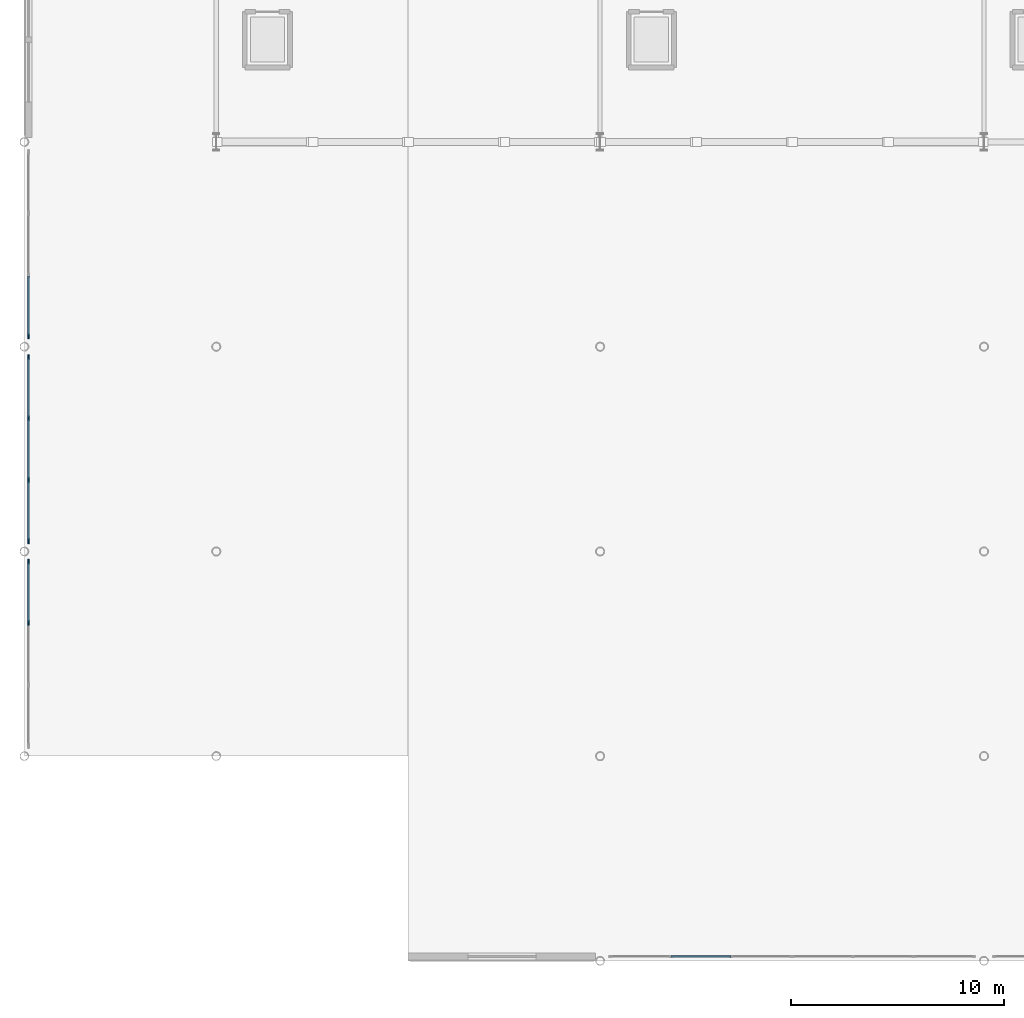
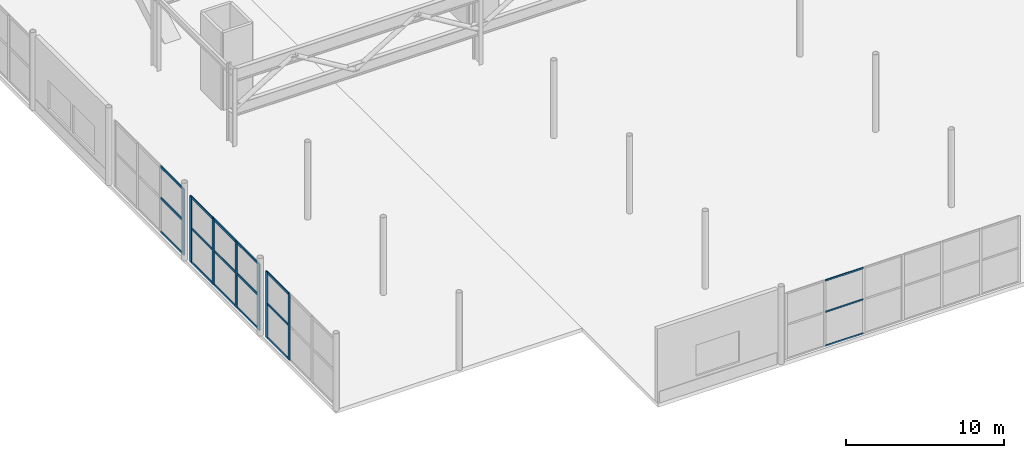
# One storey, part 26 of 113: 25 members, 4 elements without a shape of their own.
"""IFC4 building model written with IfcOpenShell, lengths in metres."""

from ifc_helpers import new_model, si_unit, direction, frame, origin, origin_2d, place, context, subcontext, project, spatial, rectangle, extrude, material, layer, layer_set, material_profile, profile_set, type_object, element, aggregate, save


model = new_model("IFC4")

# Units and contexts
model_context = context("Model", 3, precision=1e-05, world=origin(), true_north=direction((0.0, 1.0)))
body_context = subcontext(model_context, "Body", "Model", "MODEL_VIEW")
ifc_project = project(units=[si_unit("LENGTHUNIT", "METRE"), si_unit("AREAUNIT", "SQUARE_METRE"), si_unit("VOLUMEUNIT", "CUBIC_METRE"), si_unit("PLANEANGLEUNIT", "RADIAN"), si_unit("MASSUNIT", "GRAM", prefix="KILO")], contexts=[model_context])

# Site, building, storey
site_placement = place(None, origin())
site = spatial("IfcSite", under=ifc_project, at=site_placement, CompositionType="ELEMENT")
building_placement = place(site_placement, origin())
building = spatial("IfcBuilding", under=site, at=building_placement, Name="Myrtia Square Station", CompositionType="ELEMENT")
storey_placement = place(building_placement, origin())
storey = spatial("IfcBuildingStorey", under=building, at=storey_placement, Name="L00", CompositionType="ELEMENT", Elevation=0.0)

# Curtain wall, members
ifc_material = material(Name="Dark bronze anodised aluminium", Category="aluminium")
ifc_layer_1 = layer(ifc_material, 0.159912109375, Name="Dark bronze anodised aluminium")
ifc_layer_set_1 = layer_set([ifc_layer_1], Name="Dark bronze anodised aluminium")
curtain_wall_type_1 = type_object("IfcCurtainWallType", Name="CW-TYPE-22-870x510", PredefinedType="USERDEFINED", material=ifc_layer_set_1)
curtain_wall_1_placement = place(storey_placement, origin())
curtain_wall_1 = element("IfcCurtainWall", 1, at=curtain_wall_1_placement, inside=storey, type_object=curtain_wall_type_1, Name="Concourse curtain wall CW-L00-073", ObjectType="CONCOURSE CURTAIN WALL", PredefinedType="USERDEFINED")
ifc_material_profile_1 = material_profile(ifc_material, rectangle(XDim=0.074951171875, YDim=0.239990234375, at=origin_2d()), Name="ALU-M 75x240")
ifc_profile_set_1 = profile_set([ifc_material_profile_1], Name="Dark bronze anodised aluminium")
member_type_1 = type_object("IfcMemberType", Name="CWM-75x240", PredefinedType="MULLION", material=ifc_profile_set_1)
member_1_placement = place(storey_placement, frame((0.199951171875, 15.85009765625, 0.0), z_axis=(0.0, 0.0, 1.0), x_axis=(-1.0, 0.0, 0.0)))
member_1 = element("IfcMember", 2, at=member_1_placement, type_object=member_type_1, Name="CW-073 mullion 3", PredefinedType="MULLION", context=body_context, shape_type="SweptSolid", body=[
    extrude(rectangle(XDim=0.074951171875, YDim=0.239990234375, at=origin_2d()), origin(), (0.0, 0.0, 1.0), 5.10009765625),
])
member_2_placement = place(storey_placement, frame((0.199951171875, 18.71240234375, 0.0), z_axis=(0.0, 0.0, 1.0), x_axis=(-1.0, 0.0, 0.0)))
member_2 = element("IfcMember", 3, at=member_2_placement, type_object=member_type_1, Name="CW-073 mullion 4", PredefinedType="MULLION", context=body_context, shape_type="SweptSolid", body=[
    extrude(rectangle(XDim=0.074951171875, YDim=0.239990234375, at=origin_2d()), origin(), (0.0, 0.0, 1.0), 5.10009765625),
])

curtain_wall_2_placement = place(storey_placement, origin())
curtain_wall_2 = element("IfcCurtainWall", 4, at=curtain_wall_2_placement, inside=storey, type_object=curtain_wall_type_1, Name="Concourse curtain wall CW-L00-074", ObjectType="CONCOURSE CURTAIN WALL", PredefinedType="USERDEFINED")
member_3_placement = place(storey_placement, frame((0.199951171875, 19.6875, 0.0), z_axis=(0.0, 0.0, 1.0), x_axis=(-1.0, 0.0, 0.0)))
member_3 = element("IfcMember", 5, at=member_3_placement, type_object=member_type_1, Name="CW-074 mullion 1", PredefinedType="MULLION", context=body_context, shape_type="SweptSolid", body=[
    extrude(rectangle(XDim=0.074951171875, YDim=0.239990234375, at=origin_2d()), origin(), (0.0, 0.0, 1.0), 5.10009765625),
])
member_4_placement = place(storey_placement, frame((0.199951171875, 22.550048828125, 0.0), z_axis=(0.0, 0.0, 1.0), x_axis=(-1.0, 0.0, 0.0)))
member_4 = element("IfcMember", 6, at=member_4_placement, type_object=member_type_1, Name="CW-074 mullion 2", PredefinedType="MULLION", context=body_context, shape_type="SweptSolid", body=[
    extrude(rectangle(XDim=0.074951171875, YDim=0.239990234375, at=origin_2d()), origin(), (0.0, 0.0, 1.0), 5.10009765625),
])
member_5_placement = place(storey_placement, frame((0.199951171875, 25.449951171875, 0.0), z_axis=(0.0, 0.0, 1.0), x_axis=(-1.0, 0.0, 0.0)))
member_5 = element("IfcMember", 7, at=member_5_placement, type_object=member_type_1, Name="CW-074 mullion 3", PredefinedType="MULLION", context=body_context, shape_type="SweptSolid", body=[
    extrude(rectangle(XDim=0.074951171875, YDim=0.239990234375, at=origin_2d()), origin(), (0.0, 0.0, 1.0), 5.10009765625),
])
member_6_placement = place(storey_placement, frame((0.199951171875, 28.3125, 0.0), z_axis=(0.0, 0.0, 1.0), x_axis=(-1.0, 0.0, 0.0)))
member_6 = element("IfcMember", 8, at=member_6_placement, type_object=member_type_1, Name="CW-074 mullion 4", PredefinedType="MULLION", context=body_context, shape_type="SweptSolid", body=[
    extrude(rectangle(XDim=0.074951171875, YDim=0.239990234375, at=origin_2d()), origin(), (0.0, 0.0, 1.0), 5.10009765625),
])

# Curtain wall, member
curtain_wall_3_placement = place(storey_placement, origin())
curtain_wall_3 = element("IfcCurtainWall", 9, at=curtain_wall_3_placement, inside=storey, type_object=curtain_wall_type_1, Name="Concourse curtain wall CW-L00-075", ObjectType="CONCOURSE CURTAIN WALL", PredefinedType="USERDEFINED")
member_7_placement = place(storey_placement, frame((0.199951171875, 29.28759765625, 0.0), z_axis=(0.0, 0.0, 1.0), x_axis=(-1.0, 0.0, 0.0)))
member_7 = element("IfcMember", 10, at=member_7_placement, type_object=member_type_1, Name="CW-075 mullion 1", PredefinedType="MULLION", context=body_context, shape_type="SweptSolid", body=[
    extrude(rectangle(XDim=0.074951171875, YDim=0.239990234375, at=origin_2d()), origin(), (0.0, 0.0, 1.0), 5.10009765625),
])

# Curtain wall, members
ifc_layer_2 = layer(ifc_material, 0.159912109375, Name="Dark bronze anodised aluminium")
ifc_layer_set_2 = layer_set([ifc_layer_2], Name="Dark bronze anodised aluminium")
curtain_wall_type_2 = type_object("IfcCurtainWallType", Name="CW-TYPE-23-855x510", PredefinedType="USERDEFINED", material=ifc_layer_set_2)
curtain_wall_4_placement = place(storey_placement, origin())
curtain_wall_4 = element("IfcCurtainWall", 11, at=curtain_wall_4_placement, inside=storey, type_object=curtain_wall_type_2, Name="Concourse curtain wall CW-L00-082", ObjectType="CONCOURSE CURTAIN WALL", PredefinedType="USERDEFINED")
ifc_material_profile_2 = material_profile(ifc_material, rectangle(XDim=0.06005859375, YDim=0.1201171875, at=origin_2d()), Name="ALU-T 60x120")
ifc_profile_set_2 = profile_set([ifc_material_profile_2], Name="Dark bronze anodised aluminium")
member_type_2 = type_object("IfcMemberType", Name="CWT-60x120", PredefinedType="USERDEFINED", material=ifc_profile_set_2)
member_8_placement = place(storey_placement, frame((30.330078125, 0.199951171875, 0.030029296875), z_axis=(1.0, 0.0, 0.0), x_axis=(0.0, 1.0, 0.0)))
member_8 = element("IfcMember", 12, at=member_8_placement, type_object=member_type_2, Name="CW-082 transom 2.1", ObjectType="TRANSOM", PredefinedType="USERDEFINED", context=body_context, shape_type="SweptSolid", body=[
    extrude(rectangle(XDim=0.06005859375, YDim=0.1201171875, at=origin_2d()), origin(), (0.0, 0.0, 1.0), 2.7900390625),
])
member_9_placement = place(storey_placement, frame((30.330078125, 0.199951171875, 2.652099609375), z_axis=(1.0, 0.0, 0.0), x_axis=(0.0, 1.0, 0.0)))
member_9 = element("IfcMember", 13, at=member_9_placement, type_object=member_type_2, Name="CW-082 transom 2.2", ObjectType="TRANSOM", PredefinedType="USERDEFINED", context=body_context, shape_type="SweptSolid", body=[
    extrude(rectangle(XDim=0.06005859375, YDim=0.1201171875, at=origin_2d()), origin(), (0.0, 0.0, 1.0), 2.7900390625),
])
member_10_placement = place(storey_placement, frame((30.330078125, 0.199951171875, 5.070068359375), z_axis=(1.0, 0.0, 0.0), x_axis=(0.0, 1.0, 0.0)))
member_10 = element("IfcMember", 14, at=member_10_placement, type_object=member_type_2, Name="CW-082 transom 2.3", ObjectType="TRANSOM", PredefinedType="USERDEFINED", context=body_context, shape_type="SweptSolid", body=[
    extrude(rectangle(XDim=0.06005859375, YDim=0.1201171875, at=origin_2d()), origin(), (0.0, 0.0, 1.0), 2.7900390625),
])
aggregate(curtain_wall_4, [member_8, member_9, member_10])

# Member
ifc_material_profile_3 = material_profile(ifc_material, rectangle(XDim=0.074951171875, YDim=0.179931640625, at=origin_2d()), Name="ALU-T 75x180")
ifc_profile_set_3 = profile_set([ifc_material_profile_3], Name="Dark bronze anodised aluminium")
member_type_3 = type_object("IfcMemberType", Name="CWT-75x180", PredefinedType="USERDEFINED", material=ifc_profile_set_3)
member_11_placement = place(storey_placement, frame((0.199951171875, 15.887451171875, 0.03759765625), z_axis=(0.0, 1.0, 0.0), x_axis=(-1.0, 0.0, 0.0)))
member_11 = element("IfcMember", 15, at=member_11_placement, type_object=member_type_3, Name="CW-073 transom 3.1", ObjectType="TRANSOM", PredefinedType="USERDEFINED", context=body_context, shape_type="SweptSolid", body=[
    extrude(rectangle(XDim=0.074951171875, YDim=0.179931640625, at=origin_2d()), origin(), (0.0, 0.0, 1.0), 2.78759765625),
])

member_12_placement = place(storey_placement, frame((0.199951171875, 15.887451171875, 2.652099609375), z_axis=(0.0, 1.0, 0.0), x_axis=(-1.0, 0.0, 0.0)))
member_12 = element("IfcMember", 16, at=member_12_placement, type_object=member_type_3, Name="CW-073 transom 3.2", ObjectType="TRANSOM", PredefinedType="USERDEFINED", context=body_context, shape_type="SweptSolid", body=[
    extrude(rectangle(XDim=0.074951171875, YDim=0.179931640625, at=origin_2d()), origin(), (0.0, 0.0, 1.0), 2.78759765625),
])

member_13_placement = place(storey_placement, frame((0.199951171875, 15.887451171875, 5.0625), z_axis=(0.0, 1.0, 0.0), x_axis=(-1.0, 0.0, 0.0)))
member_13 = element("IfcMember", 17, at=member_13_placement, type_object=member_type_3, Name="CW-073 transom 3.3", ObjectType="TRANSOM", PredefinedType="USERDEFINED", context=body_context, shape_type="SweptSolid", body=[
    extrude(rectangle(XDim=0.074951171875, YDim=0.179931640625, at=origin_2d()), origin(), (0.0, 0.0, 1.0), 2.78759765625),
])

aggregate(curtain_wall_1, [member_1, member_2, member_11, member_12, member_13])

member_14_placement = place(storey_placement, frame((0.199951171875, 19.72509765625, 0.03759765625), z_axis=(0.0, 1.0, 0.0), x_axis=(-1.0, 0.0, 0.0)))
member_14 = element("IfcMember", 18, at=member_14_placement, type_object=member_type_3, Name="CW-074 transom 1.1", ObjectType="TRANSOM", PredefinedType="USERDEFINED", context=body_context, shape_type="SweptSolid", body=[
    extrude(rectangle(XDim=0.074951171875, YDim=0.179931640625, at=origin_2d()), origin(), (0.0, 0.0, 1.0), 2.787353515625),
])

member_15_placement = place(storey_placement, frame((0.199951171875, 19.72509765625, 2.652099609375), z_axis=(0.0, 1.0, 0.0), x_axis=(-1.0, 0.0, 0.0)))
member_15 = element("IfcMember", 19, at=member_15_placement, type_object=member_type_3, Name="CW-074 transom 1.2", ObjectType="TRANSOM", PredefinedType="USERDEFINED", context=body_context, shape_type="SweptSolid", body=[
    extrude(rectangle(XDim=0.074951171875, YDim=0.179931640625, at=origin_2d()), origin(), (0.0, 0.0, 1.0), 2.787353515625),
])

member_16_placement = place(storey_placement, frame((0.199951171875, 19.72509765625, 5.0625), z_axis=(0.0, 1.0, 0.0), x_axis=(-1.0, 0.0, 0.0)))
member_16 = element("IfcMember", 20, at=member_16_placement, type_object=member_type_3, Name="CW-074 transom 1.3", ObjectType="TRANSOM", PredefinedType="USERDEFINED", context=body_context, shape_type="SweptSolid", body=[
    extrude(rectangle(XDim=0.074951171875, YDim=0.179931640625, at=origin_2d()), origin(), (0.0, 0.0, 1.0), 2.787353515625),
])

member_17_placement = place(storey_placement, frame((0.199951171875, 22.58740234375, 0.03759765625), z_axis=(0.0, 1.0, 0.0), x_axis=(-1.0, 0.0, 0.0)))
member_17 = element("IfcMember", 21, at=member_17_placement, type_object=member_type_3, Name="CW-074 transom 2.1", ObjectType="TRANSOM", PredefinedType="USERDEFINED", context=body_context, shape_type="SweptSolid", body=[
    extrude(rectangle(XDim=0.074951171875, YDim=0.179931640625, at=origin_2d()), origin(), (0.0, 0.0, 1.0), 2.8251953125),
])

member_18_placement = place(storey_placement, frame((0.199951171875, 22.58740234375, 2.652099609375), z_axis=(0.0, 1.0, 0.0), x_axis=(-1.0, 0.0, 0.0)))
member_18 = element("IfcMember", 22, at=member_18_placement, type_object=member_type_3, Name="CW-074 transom 2.2", ObjectType="TRANSOM", PredefinedType="USERDEFINED", context=body_context, shape_type="SweptSolid", body=[
    extrude(rectangle(XDim=0.074951171875, YDim=0.179931640625, at=origin_2d()), origin(), (0.0, 0.0, 1.0), 2.8251953125),
])

member_19_placement = place(storey_placement, frame((0.199951171875, 22.58740234375, 5.0625), z_axis=(0.0, 1.0, 0.0), x_axis=(-1.0, 0.0, 0.0)))
member_19 = element("IfcMember", 23, at=member_19_placement, type_object=member_type_3, Name="CW-074 transom 2.3", ObjectType="TRANSOM", PredefinedType="USERDEFINED", context=body_context, shape_type="SweptSolid", body=[
    extrude(rectangle(XDim=0.074951171875, YDim=0.179931640625, at=origin_2d()), origin(), (0.0, 0.0, 1.0), 2.8251953125),
])

member_20_placement = place(storey_placement, frame((0.199951171875, 25.487548828125, 0.03759765625), z_axis=(0.0, 1.0, 0.0), x_axis=(-1.0, 0.0, 0.0)))
member_20 = element("IfcMember", 24, at=member_20_placement, type_object=member_type_3, Name="CW-074 transom 3.1", ObjectType="TRANSOM", PredefinedType="USERDEFINED", context=body_context, shape_type="SweptSolid", body=[
    extrude(rectangle(XDim=0.074951171875, YDim=0.179931640625, at=origin_2d()), origin(), (0.0, 0.0, 1.0), 2.787353515625),
])

member_21_placement = place(storey_placement, frame((0.199951171875, 25.487548828125, 2.652099609375), z_axis=(0.0, 1.0, 0.0), x_axis=(-1.0, 0.0, 0.0)))
member_21 = element("IfcMember", 25, at=member_21_placement, type_object=member_type_3, Name="CW-074 transom 3.2", ObjectType="TRANSOM", PredefinedType="USERDEFINED", context=body_context, shape_type="SweptSolid", body=[
    extrude(rectangle(XDim=0.074951171875, YDim=0.179931640625, at=origin_2d()), origin(), (0.0, 0.0, 1.0), 2.787353515625),
])

member_22_placement = place(storey_placement, frame((0.199951171875, 25.487548828125, 5.0625), z_axis=(0.0, 1.0, 0.0), x_axis=(-1.0, 0.0, 0.0)))
member_22 = element("IfcMember", 26, at=member_22_placement, type_object=member_type_3, Name="CW-074 transom 3.3", ObjectType="TRANSOM", PredefinedType="USERDEFINED", context=body_context, shape_type="SweptSolid", body=[
    extrude(rectangle(XDim=0.074951171875, YDim=0.179931640625, at=origin_2d()), origin(), (0.0, 0.0, 1.0), 2.787353515625),
])

aggregate(curtain_wall_2, [member_3, member_4, member_5, member_6, member_14, member_15, member_16, member_17, member_18, member_19, member_20, member_21, member_22])

member_23_placement = place(storey_placement, frame((0.199951171875, 29.324951171875, 0.03759765625), z_axis=(0.0, 1.0, 0.0), x_axis=(-1.0, 0.0, 0.0)))
member_23 = element("IfcMember", 27, at=member_23_placement, type_object=member_type_3, Name="CW-075 transom 1.1", ObjectType="TRANSOM", PredefinedType="USERDEFINED", context=body_context, shape_type="SweptSolid", body=[
    extrude(rectangle(XDim=0.074951171875, YDim=0.179931640625, at=origin_2d()), origin(), (0.0, 0.0, 1.0), 2.78759765625),
])

member_24_placement = place(storey_placement, frame((0.199951171875, 29.324951171875, 2.652099609375), z_axis=(0.0, 1.0, 0.0), x_axis=(-1.0, 0.0, 0.0)))
member_24 = element("IfcMember", 28, at=member_24_placement, type_object=member_type_3, Name="CW-075 transom 1.2", ObjectType="TRANSOM", PredefinedType="USERDEFINED", context=body_context, shape_type="SweptSolid", body=[
    extrude(rectangle(XDim=0.074951171875, YDim=0.179931640625, at=origin_2d()), origin(), (0.0, 0.0, 1.0), 2.78759765625),
])

member_25_placement = place(storey_placement, frame((0.199951171875, 29.324951171875, 5.0625), z_axis=(0.0, 1.0, 0.0), x_axis=(-1.0, 0.0, 0.0)))
member_25 = element("IfcMember", 29, at=member_25_placement, type_object=member_type_3, Name="CW-075 transom 1.3", ObjectType="TRANSOM", PredefinedType="USERDEFINED", context=body_context, shape_type="SweptSolid", body=[
    extrude(rectangle(XDim=0.074951171875, YDim=0.179931640625, at=origin_2d()), origin(), (0.0, 0.0, 1.0), 2.78759765625),
])

aggregate(curtain_wall_3, [member_7, member_23, member_24, member_25])

save(model, "model.ifc")
